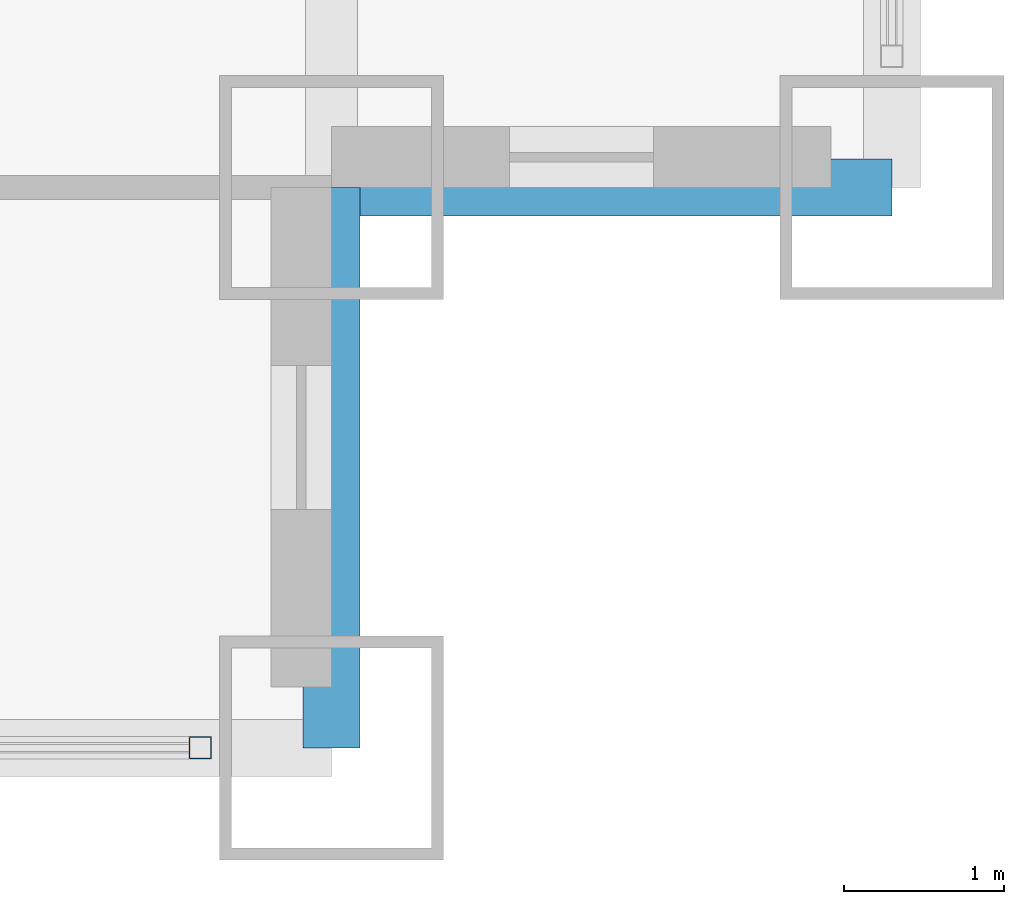
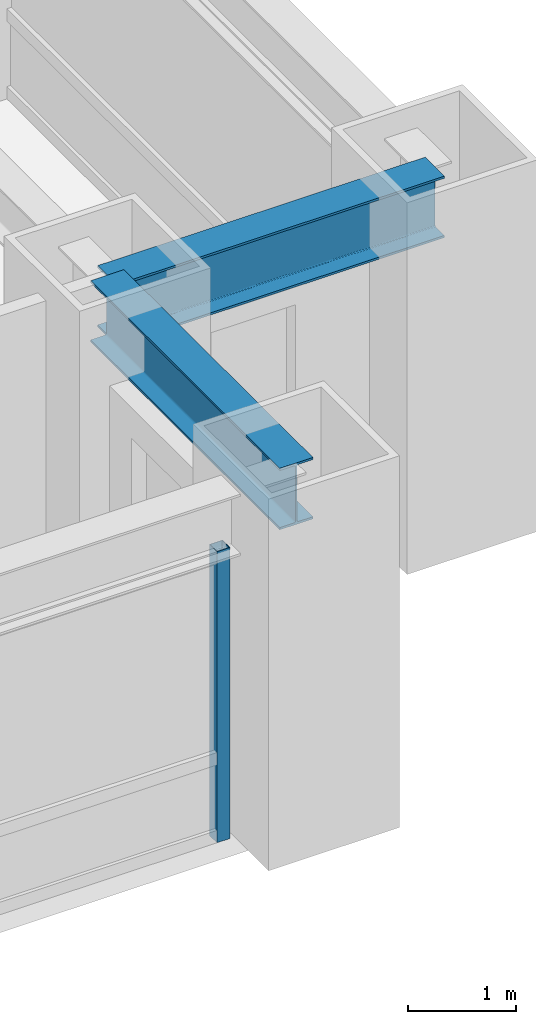
# One storey, part 10 of 28: 2 beams, 1 member, 1 element without a shape of its own.
"""IFC4 building model written with IfcOpenShell, lengths in metres."""

from ifc_helpers import new_model, si_unit, direction, frame, origin, origin_2d, place, context, subcontext, project, spatial, hollow_rectangle, i_section, extrude, source, transform, mapped, material, material_profile, profile_set, type_object, element, aggregate, save


model = new_model("IFC4")

# Units and contexts
model_context = context("Model", 3, precision=1e-05, world=origin(), true_north=direction((0.0, 1.0)))
body_context = subcontext(model_context, "Body", "Model", "MODEL_VIEW")
ifc_project = project(units=[si_unit("LENGTHUNIT", "METRE"), si_unit("AREAUNIT", "SQUARE_METRE"), si_unit("VOLUMEUNIT", "CUBIC_METRE"), si_unit("PLANEANGLEUNIT", "RADIAN"), si_unit("MASSUNIT", "GRAM", prefix="KILO")], contexts=[model_context])

# Site, building, storey
site_placement = place(None, origin())
site = spatial("IfcSite", under=ifc_project, at=site_placement, CompositionType="ELEMENT")
building_placement = place(site_placement, origin())
building = spatial("IfcBuilding", under=site, at=building_placement, Name="Khorayat Bourse Tower", CompositionType="ELEMENT")
storey_placement = place(building_placement, frame((0.0, 0.0, 57.800048828125)))
storey = spatial("IfcBuildingStorey", under=building, at=storey_placement, Name="L12", CompositionType="ELEMENT", Elevation=57.800048828125)

# Beams
ifc_material_1 = material(Name="Steel ASTM A992 Grade 50", Category="steel")
ifc_material_profile_1 = material_profile(ifc_material_1, i_section(OverallWidth=0.35498046875, OverallDepth=0.695068359375, WebThickness=0.015380859375, FlangeThickness=0.02490234375, FilletRadius=0.01806640625, at=origin_2d()), Name="W690X217")
ifc_profile_set_1 = profile_set([ifc_material_profile_1], Name="Steel ASTM A992 Grade 50")
beam_type = type_object("IfcBeamType", Name="BM-SPAN-690", PredefinedType="SPANDREL", material=ifc_profile_set_1)
shared_shape_1 = source(origin(), body_context, "Body", "SweptSolid", [
    extrude(i_section(OverallWidth=0.35498046875, OverallDepth=0.695068359375, WebThickness=0.015380859375, FlangeThickness=0.02490234375, FilletRadius=0.01806640625, at=origin_2d()), origin(), (0.0, 0.0, 1.0), 3.5),
])
for number, where, z_axis, x_axis, name in (
    (1, (28.5, -32.0, 3.592529296875), (0.0, 1.0, 0.0), (-1.0, 0.0, 0.0), "L12 BM-SPAN-690 BM-L12-SPN-032"),
    (2, (28.5, -28.5, 3.592529296875), (1.0, 0.0, 0.0), (0.0, 1.0, 0.0), "L12 BM-SPAN-690 BM-L12-SPN-033"),
):
    element("IfcBeam", number, at=place(storey_placement, frame(where, z_axis=z_axis, x_axis=x_axis)), inside=storey, type_object=beam_type, Name=name, PredefinedType="SPANDREL", context=body_context, shape_type="MappedRepresentation", body=[
        mapped(shared_shape_1, transform((0.0, 0.0, 0.0), scale=1.0)),
    ])

# Curtain wall, member
ifc_material_2 = material(Name="Aluminium EN AW-6063 T6", Category="aluminium")
curtain_wall_type = type_object("IfcCurtainWallType", Name="CW-SYS-02", PredefinedType="NOTDEFINED", material=ifc_material_2)
curtain_wall_placement = place(storey_placement, origin())
curtain_wall = element("IfcCurtainWall", 3, at=curtain_wall_placement, inside=storey, type_object=curtain_wall_type, Name="L12 Curtain Wall CW-L12-S1", PredefinedType="NOTDEFINED")
ifc_material_profile_2 = material_profile(ifc_material_2, hollow_rectangle(XDim=0.139892578125, YDim=0.139892578125, WallThickness=0.006103515625, at=origin_2d()), Name="ALU 140x140x6")
ifc_profile_set_2 = profile_set([ifc_material_profile_2], Name="Aluminium EN AW-6063 T6")
member_type = type_object("IfcMemberType", Name="CWM-VERT-140", PredefinedType="MULLION", material=ifc_profile_set_2)
shared_shape_2 = source(origin(), body_context, "Body", "SweptSolid", [
    extrude(hollow_rectangle(XDim=0.139892578125, YDim=0.139892578125, WallThickness=0.006103515625, at=origin_2d()), origin(), (0.0, 0.0, 1.0), 3.2900390625),
])
member_placement = place(storey_placement, frame((27.679931640625, -32.0, 0.0), z_axis=(0.0, 0.0, 1.0), x_axis=(0.0, 1.0, 0.0)))
member = element("IfcMember", 4, at=member_placement, type_object=member_type, Name="CW-L12-S1 Vertical Mullion 4", PredefinedType="MULLION", context=body_context, shape_type="MappedRepresentation", body=[
    mapped(shared_shape_2, transform((0.0, 0.0, 0.0), scale=1.0)),
])
aggregate(curtain_wall, [member])

save(model, "model.ifc")
